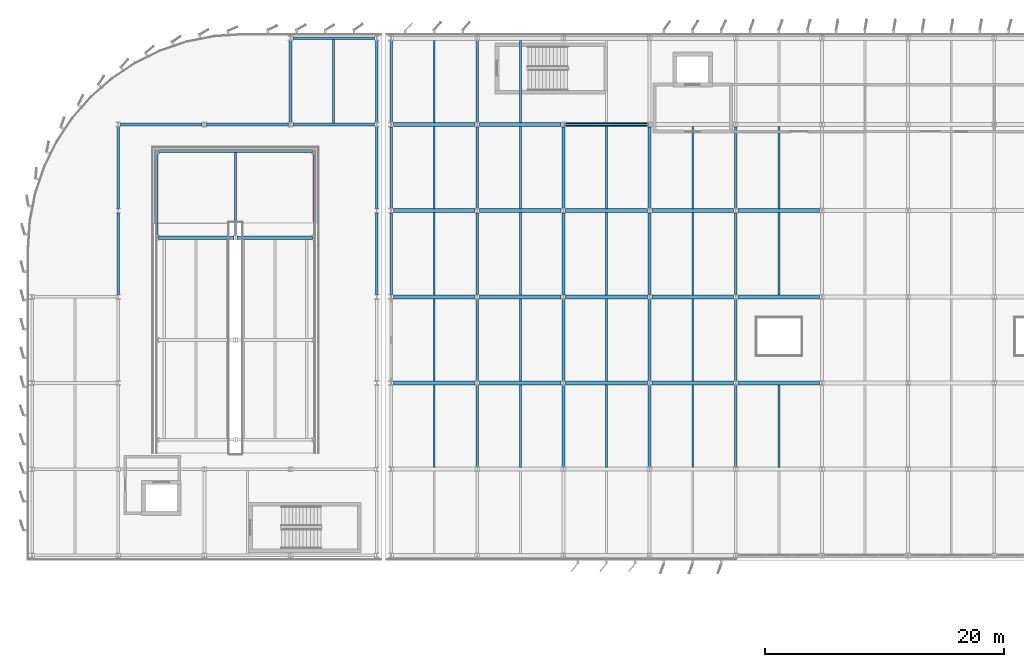
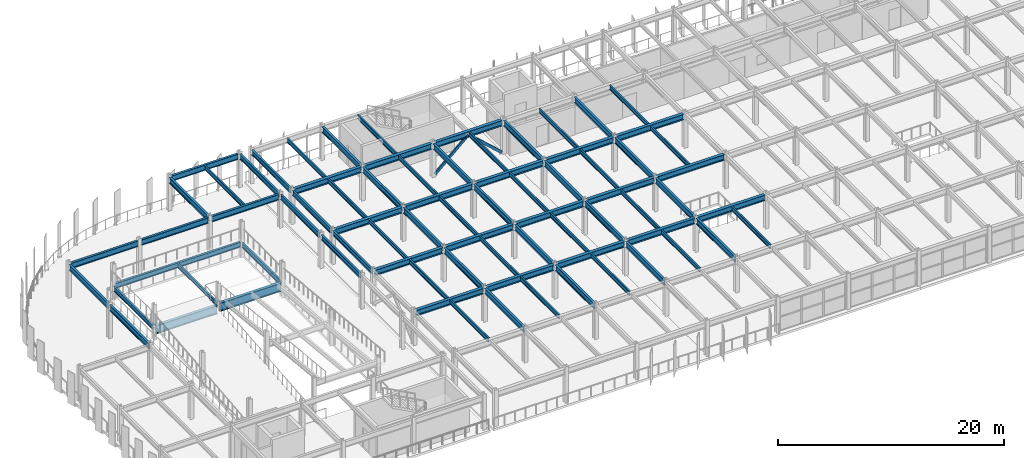
# One storey, part 18 of 80: 76 beams, 2 members.
"""IFC4 building model written with IfcOpenShell, lengths in metres."""

from ifc_helpers import new_model, si_unit, direction, frame, origin, origin_2d, place, context, subcontext, project, spatial, hollow_rectangle, i_section, extrude, material, material_profile, profile_set, type_object, element, save


model = new_model("IFC4")

# Units and contexts
model_context = context("Model", 3, precision=1e-05, world=origin(), true_north=direction((0.0, 1.0)))
body_context = subcontext(model_context, "Body", "Model", "MODEL_VIEW")
ifc_project = project(units=[si_unit("LENGTHUNIT", "METRE"), si_unit("AREAUNIT", "SQUARE_METRE"), si_unit("VOLUMEUNIT", "CUBIC_METRE"), si_unit("PLANEANGLEUNIT", "RADIAN"), si_unit("MASSUNIT", "GRAM", prefix="KILO")], contexts=[model_context])

# Site, building, storey
site_placement = place(None, origin())
site = spatial("IfcSite", under=ifc_project, at=site_placement, CompositionType="ELEMENT")
building_placement = place(site_placement, origin())
building = spatial("IfcBuilding", under=site, at=building_placement, Name="Vaelcorin Mobility Hub", CompositionType="ELEMENT")
storey_placement = place(building_placement, frame((0.0, 0.0, 9.300048828125)))
storey = spatial("IfcBuildingStorey", under=building, at=storey_placement, Name="L02", CompositionType="ELEMENT", Elevation=9.300048828125)

# Beams
ifc_material_1 = material(Name="Steel ASTM A992 Grade 50", Category="steel")
ifc_material_profile_1 = material_profile(ifc_material_1, i_section(OverallWidth=0.152099609375, OverallDepth=0.455078125, WebThickness=0.008056640625, FlangeThickness=0.01318359375, FilletRadius=0.012939453125, at=origin_2d()), Name="W18X40")
ifc_profile_set_1 = profile_set([ifc_material_profile_1], Name="Steel ASTM A992 Grade 50")
beam_type_1 = type_object("IfcBeamType", Name="BM-W18X40", PredefinedType="JOIST", material=ifc_profile_set_1)
beam_1_placement = place(storey_placement, frame((31.199951171875, 112.912109375, 3.421875), z_axis=(0.0, 1.0, 0.0), x_axis=(-1.0, 0.0, 0.0)))
element("IfcBeam", 1, at=beam_1_placement, inside=storey, type_object=beam_type_1, Name="L02 Beam V2W-L02-J-04-06-1", PredefinedType="JOIST", context=body_context, shape_type="SweptSolid", body=[
    extrude(i_section(OverallWidth=0.152099609375, OverallDepth=0.455078125, WebThickness=0.008056640625, FlangeThickness=0.01318359375, FilletRadius=0.012939453125, at=origin_2d()), origin(), (0.0, 0.0, 1.0), 6.975830078125),
])
beam_2_placement = place(storey_placement, frame((23.0, 103.52490234375, 1.44287109375), z_axis=(0.0, 1.0, 0.0), x_axis=(-1.0, 0.0, 0.0)))
element("IfcBeam", 2, at=beam_2_placement, inside=storey, type_object=beam_type_1, Name="Vehicle Ramp VR-1 L02 Landing Mid Joist", PredefinedType="JOIST", context=body_context, shape_type="SweptSolid", body=[
    extrude(i_section(OverallWidth=0.152099609375, OverallDepth=0.455078125, WebThickness=0.008056640625, FlangeThickness=0.01318359375, FilletRadius=0.012939453125, at=origin_2d()), origin(), (0.0, 0.0, 1.0), 6.922119140625),
])
ifc_material_profile_2 = material_profile(ifc_material_1, i_section(OverallWidth=0.154052734375, OverallDepth=0.45703125, WebThickness=0.009033203125, FlangeThickness=0.015380859375, FilletRadius=0.012939453125, at=origin_2d()), Name="W18X46")
ifc_profile_set_2 = profile_set([ifc_material_profile_2], Name="Steel ASTM A992 Grade 50")
beam_type_2 = type_object("IfcBeamType", Name="BM-W18X46", PredefinedType="JOIST", material=ifc_profile_set_2)
beam_3_placement = place(storey_placement, frame((39.60009765625, 84.159912109375, 3.4619140625), z_axis=(0.0, 1.0, 0.0), x_axis=(-1.0, 0.0, 0.0)))
element("IfcBeam", 3, at=beam_3_placement, inside=storey, type_object=beam_type_2, Name="L02 Beam V4-L02-J-01-02-1", PredefinedType="JOIST", context=body_context, shape_type="SweptSolid", body=[
    extrude(i_section(OverallWidth=0.154052734375, OverallDepth=0.45703125, WebThickness=0.009033203125, FlangeThickness=0.015380859375, FilletRadius=0.012939453125, at=origin_2d()), origin(), (0.0, 0.0, 1.0), 6.880126953125),
])
for number, where, z_axis, x_axis, name in (
    (4, (39.60009765625, 91.360107421875, 3.4619140625), (0.0, 1.0, 0.0), (-1.0, 0.0, 0.0), "L02 Beam V4-L02-J-01-03-1"),
    (5, (39.60009765625, 98.56005859375, 3.4619140625), (0.0, 1.0, 0.0), (-1.0, 0.0, 0.0), "L02 Beam V4-L02-J-01-04-1"),
    (6, (39.60009765625, 105.760009765625, 3.4619140625), (0.0, 1.0, 0.0), (-1.0, 0.0, 0.0), "L02 Beam V4-L02-J-01-05-1"),
):
    element("IfcBeam", number, at=place(storey_placement, frame(where, z_axis=z_axis, x_axis=x_axis)), inside=storey, type_object=beam_type_2, Name=name, PredefinedType="JOIST", context=body_context, shape_type="SweptSolid", body=[
        extrude(i_section(OverallWidth=0.154052734375, OverallDepth=0.45703125, WebThickness=0.009033203125, FlangeThickness=0.015380859375, FilletRadius=0.012939453125, at=origin_2d()), origin(), (0.0, 0.0, 1.0), 6.8798828125),
    ])
for number, where, z_axis, x_axis, name in (
    (7, (39.60009765625, 112.9599609375, 3.4619140625), (0.0, 1.0, 0.0), (-1.0, 0.0, 0.0), "L02 Beam V4-L02-J-01-06-1"),
    (8, (46.800048828125, 84.159912109375, 3.4619140625), (0.0, 1.0, 0.0), (-1.0, 0.0, 0.0), "L02 Beam V4-L02-J-02-02-1"),
):
    element("IfcBeam", number, at=place(storey_placement, frame(where, z_axis=z_axis, x_axis=x_axis)), inside=storey, type_object=beam_type_2, Name=name, PredefinedType="JOIST", context=body_context, shape_type="SweptSolid", body=[
        extrude(i_section(OverallWidth=0.154052734375, OverallDepth=0.45703125, WebThickness=0.009033203125, FlangeThickness=0.015380859375, FilletRadius=0.012939453125, at=origin_2d()), origin(), (0.0, 0.0, 1.0), 6.880126953125),
    ])
for number, where, z_axis, x_axis, name in (
    (9, (46.800048828125, 91.360107421875, 3.4619140625), (0.0, 1.0, 0.0), (-1.0, 0.0, 0.0), "L02 Beam V4-L02-J-02-03-1"),
    (10, (46.800048828125, 98.56005859375, 3.4619140625), (0.0, 1.0, 0.0), (-1.0, 0.0, 0.0), "L02 Beam V4-L02-J-02-04-1"),
    (11, (46.800048828125, 105.760009765625, 3.4619140625), (0.0, 1.0, 0.0), (-1.0, 0.0, 0.0), "L02 Beam V4-L02-J-02-05-1"),
):
    element("IfcBeam", number, at=place(storey_placement, frame(where, z_axis=z_axis, x_axis=x_axis)), inside=storey, type_object=beam_type_2, Name=name, PredefinedType="JOIST", context=body_context, shape_type="SweptSolid", body=[
        extrude(i_section(OverallWidth=0.154052734375, OverallDepth=0.45703125, WebThickness=0.009033203125, FlangeThickness=0.015380859375, FilletRadius=0.012939453125, at=origin_2d()), origin(), (0.0, 0.0, 1.0), 6.8798828125),
    ])
for number, where, z_axis, x_axis, name in (
    (12, (46.800048828125, 112.9599609375, 3.4619140625), (0.0, 1.0, 0.0), (-1.0, 0.0, 0.0), "L02 Beam V4-L02-J-02-06-1"),
    (13, (54.0, 84.159912109375, 3.4619140625), (0.0, 1.0, 0.0), (-1.0, 0.0, 0.0), "L02 Beam V4-L02-J-03-02-1"),
):
    element("IfcBeam", number, at=place(storey_placement, frame(where, z_axis=z_axis, x_axis=x_axis)), inside=storey, type_object=beam_type_2, Name=name, PredefinedType="JOIST", context=body_context, shape_type="SweptSolid", body=[
        extrude(i_section(OverallWidth=0.154052734375, OverallDepth=0.45703125, WebThickness=0.009033203125, FlangeThickness=0.015380859375, FilletRadius=0.012939453125, at=origin_2d()), origin(), (0.0, 0.0, 1.0), 6.880126953125),
    ])
for number, where, z_axis, x_axis, name in (
    (14, (54.0, 91.360107421875, 3.4619140625), (0.0, 1.0, 0.0), (-1.0, 0.0, 0.0), "L02 Beam V4-L02-J-03-03-1"),
    (15, (54.0, 98.56005859375, 3.4619140625), (0.0, 1.0, 0.0), (-1.0, 0.0, 0.0), "L02 Beam V4-L02-J-03-04-1"),
    (16, (54.0, 105.760009765625, 3.4619140625), (0.0, 1.0, 0.0), (-1.0, 0.0, 0.0), "L02 Beam V4-L02-J-03-05-1"),
):
    element("IfcBeam", number, at=place(storey_placement, frame(where, z_axis=z_axis, x_axis=x_axis)), inside=storey, type_object=beam_type_2, Name=name, PredefinedType="JOIST", context=body_context, shape_type="SweptSolid", body=[
        extrude(i_section(OverallWidth=0.154052734375, OverallDepth=0.45703125, WebThickness=0.009033203125, FlangeThickness=0.015380859375, FilletRadius=0.012939453125, at=origin_2d()), origin(), (0.0, 0.0, 1.0), 6.8798828125),
    ])
beam_4_placement = place(storey_placement, frame((61.199951171875, 84.159912109375, 3.4619140625), z_axis=(0.0, 1.0, 0.0), x_axis=(-1.0, 0.0, 0.0)))
element("IfcBeam", 17, at=beam_4_placement, inside=storey, type_object=beam_type_2, Name="L02 Beam V4-L02-J-04-02-1", PredefinedType="JOIST", context=body_context, shape_type="SweptSolid", body=[
    extrude(i_section(OverallWidth=0.154052734375, OverallDepth=0.45703125, WebThickness=0.009033203125, FlangeThickness=0.015380859375, FilletRadius=0.012939453125, at=origin_2d()), origin(), (0.0, 0.0, 1.0), 6.880126953125),
])
for number, where, z_axis, x_axis, name in (
    (18, (61.199951171875, 91.360107421875, 3.4619140625), (0.0, 1.0, 0.0), (-1.0, 0.0, 0.0), "L02 Beam V4-L02-J-04-03-1"),
    (19, (61.199951171875, 98.56005859375, 3.4619140625), (0.0, 1.0, 0.0), (-1.0, 0.0, 0.0), "L02 Beam V4-L02-J-04-04-1"),
    (20, (61.199951171875, 105.760009765625, 3.4619140625), (0.0, 1.0, 0.0), (-1.0, 0.0, 0.0), "L02 Beam V4-L02-J-04-05-1"),
):
    element("IfcBeam", number, at=place(storey_placement, frame(where, z_axis=z_axis, x_axis=x_axis)), inside=storey, type_object=beam_type_2, Name=name, PredefinedType="JOIST", context=body_context, shape_type="SweptSolid", body=[
        extrude(i_section(OverallWidth=0.154052734375, OverallDepth=0.45703125, WebThickness=0.009033203125, FlangeThickness=0.015380859375, FilletRadius=0.012939453125, at=origin_2d()), origin(), (0.0, 0.0, 1.0), 6.8798828125),
    ])
beam_5_placement = place(storey_placement, frame((68.39990234375, 84.159912109375, 3.4619140625), z_axis=(0.0, 1.0, 0.0), x_axis=(-1.0, 0.0, 0.0)))
element("IfcBeam", 21, at=beam_5_placement, inside=storey, type_object=beam_type_2, Name="L02 Beam V4-L02-J-05-02-1", PredefinedType="JOIST", context=body_context, shape_type="SweptSolid", body=[
    extrude(i_section(OverallWidth=0.154052734375, OverallDepth=0.45703125, WebThickness=0.009033203125, FlangeThickness=0.015380859375, FilletRadius=0.012939453125, at=origin_2d()), origin(), (0.0, 0.0, 1.0), 6.880126953125),
])
for number, where, z_axis, x_axis, name in (
    (22, (68.39990234375, 98.56005859375, 3.4619140625), (0.0, 1.0, 0.0), (-1.0, 0.0, 0.0), "L02 Beam V4-L02-J-05-04-1"),
    (23, (68.39990234375, 105.760009765625, 3.4619140625), (0.0, 1.0, 0.0), (-1.0, 0.0, 0.0), "L02 Beam V4-L02-J-05-05-1"),
):
    element("IfcBeam", number, at=place(storey_placement, frame(where, z_axis=z_axis, x_axis=x_axis)), inside=storey, type_object=beam_type_2, Name=name, PredefinedType="JOIST", context=body_context, shape_type="SweptSolid", body=[
        extrude(i_section(OverallWidth=0.154052734375, OverallDepth=0.45703125, WebThickness=0.009033203125, FlangeThickness=0.015380859375, FilletRadius=0.012939453125, at=origin_2d()), origin(), (0.0, 0.0, 1.0), 6.8798828125),
    ])
ifc_material_profile_3 = material_profile(ifc_material_1, i_section(OverallWidth=0.166015625, OverallDepth=0.528076171875, WebThickness=0.009765625, FlangeThickness=0.013671875, FilletRadius=0.013916015625, at=origin_2d()), Name="W21X50")
ifc_profile_set_3 = profile_set([ifc_material_profile_3], Name="Steel ASTM A992 Grade 50")
beam_type_3 = type_object("IfcBeamType", Name="BM-W21X50", PredefinedType="JOIST", material=ifc_profile_set_3)
for number, where, z_axis, x_axis, name in (
    (24, (16.449951171875, 103.52490234375, 1.25390625), (0.0, 1.0, 0.0), (-1.0, 0.0, 0.0), "Vehicle Ramp VR-1 L02 Landing West Edge Beam"),
    (25, (29.550048828125, 103.52490234375, 1.39697265625), (0.0, 1.0, 0.0), (-1.0, 0.0, 0.0), "Vehicle Ramp VR-1 L02 Landing East Edge Beam"),
):
    element("IfcBeam", number, at=place(storey_placement, frame(where, z_axis=z_axis, x_axis=x_axis)), inside=storey, type_object=beam_type_3, Name=name, PredefinedType="JOIST", context=body_context, shape_type="SweptSolid", body=[
        extrude(i_section(OverallWidth=0.166015625, OverallDepth=0.528076171875, WebThickness=0.009765625, FlangeThickness=0.013671875, FilletRadius=0.013916015625, at=origin_2d()), origin(), (0.0, 0.0, 1.0), 6.85009765625),
    ])
ifc_material_profile_4 = material_profile(ifc_material_1, i_section(OverallWidth=0.2099609375, OverallDepth=0.535888671875, WebThickness=0.010986328125, FlangeThickness=0.017333984375, FilletRadius=0.013916015625, at=origin_2d()), Name="W21X68")
ifc_profile_set_4 = profile_set([ifc_material_profile_4], Name="Steel ASTM A992 Grade 50")
beam_type_4 = type_object("IfcBeamType", Name="BM-W21X68", PredefinedType="SPANDREL", material=ifc_profile_set_4)
beam_6_placement = place(storey_placement, frame((36.0, 98.583984375, 3.421875), z_axis=(0.0, 1.0, 0.0), x_axis=(-1.0, 0.0, 0.0)))
element("IfcBeam", 26, at=beam_6_placement, inside=storey, type_object=beam_type_4, Name="L02 Beam V4-L02-GY-01-04", PredefinedType="SPANDREL", context=body_context, shape_type="SweptSolid", body=[
    extrude(i_section(OverallWidth=0.2099609375, OverallDepth=0.535888671875, WebThickness=0.010986328125, FlangeThickness=0.017333984375, FilletRadius=0.013916015625, at=origin_2d()), origin(), (0.0, 0.0, 1.0), 6.83203125),
])
beam_7_placement = place(storey_placement, frame((36.0, 105.783935546875, 3.421875), z_axis=(0.0, 1.0, 0.0), x_axis=(-1.0, 0.0, 0.0)))
element("IfcBeam", 27, at=beam_7_placement, inside=storey, type_object=beam_type_4, Name="L02 Beam V4-L02-GY-01-05", PredefinedType="SPANDREL", context=body_context, shape_type="SweptSolid", body=[
    extrude(i_section(OverallWidth=0.2099609375, OverallDepth=0.535888671875, WebThickness=0.010986328125, FlangeThickness=0.017333984375, FilletRadius=0.013916015625, at=origin_2d()), origin(), (0.0, 0.0, 1.0), 6.8271484375),
])
beam_8_placement = place(storey_placement, frame((36.0, 112.988037109375, 3.421875), z_axis=(0.0, 1.0, 0.0), x_axis=(-1.0, 0.0, 0.0)))
element("IfcBeam", 28, at=beam_8_placement, inside=storey, type_object=beam_type_4, Name="L02 Beam V4-L02-GY-01-06", PredefinedType="SPANDREL", context=body_context, shape_type="SweptSolid", body=[
    extrude(i_section(OverallWidth=0.2099609375, OverallDepth=0.535888671875, WebThickness=0.010986328125, FlangeThickness=0.017333984375, FilletRadius=0.013916015625, at=origin_2d()), origin(), (0.0, 0.0, 1.0), 6.827880859375),
])
beam_9_placement = place(storey_placement, frame((34.800048828125, 98.580078125, 3.3818359375), z_axis=(0.0, 1.0, 0.0), x_axis=(-1.0, 0.0, 0.0)))
element("IfcBeam", 29, at=beam_9_placement, inside=storey, type_object=beam_type_4, Name="L02 Beam V2W-L02-GY-05-04", PredefinedType="SPANDREL", context=body_context, shape_type="SweptSolid", body=[
    extrude(i_section(OverallWidth=0.2099609375, OverallDepth=0.535888671875, WebThickness=0.010986328125, FlangeThickness=0.017333984375, FilletRadius=0.013916015625, at=origin_2d()), origin(), (0.0, 0.0, 1.0), 6.83984375),
])
for number, where, z_axis, x_axis, name in (
    (30, (34.800048828125, 105.780029296875, 3.3818359375), (0.0, 1.0, 0.0), (-1.0, 0.0, 0.0), "L02 Beam V2W-L02-GY-05-05"),
    (31, (34.800048828125, 112.97998046875, 3.3818359375), (0.0, 1.0, 0.0), (-1.0, 0.0, 0.0), "L02 Beam V2W-L02-GY-05-06"),
):
    element("IfcBeam", number, at=place(storey_placement, frame(where, z_axis=z_axis, x_axis=x_axis)), inside=storey, type_object=beam_type_4, Name=name, PredefinedType="SPANDREL", context=body_context, shape_type="SweptSolid", body=[
        extrude(i_section(OverallWidth=0.2099609375, OverallDepth=0.535888671875, WebThickness=0.010986328125, FlangeThickness=0.017333984375, FilletRadius=0.013916015625, at=origin_2d()), origin(), (0.0, 0.0, 1.0), 6.840087890625),
    ])
beam_10_placement = place(storey_placement, frame((16.580078125, 110.550048828125, 1.40185546875), z_axis=(1.0, 0.0, 0.0), x_axis=(0.0, 1.0, 0.0)))
element("IfcBeam", 32, at=beam_10_placement, inside=storey, type_object=beam_type_4, Name="Vehicle Ramp VR-1 L02 Landing Back Girder", PredefinedType="SPANDREL", context=body_context, shape_type="SweptSolid", body=[
    extrude(i_section(OverallWidth=0.2099609375, OverallDepth=0.535888671875, WebThickness=0.010986328125, FlangeThickness=0.017333984375, FilletRadius=0.013916015625, at=origin_2d()), origin(), (0.0, 0.0, 1.0), 12.83984375),
])
ifc_material_profile_5 = material_profile(ifc_material_1, i_section(OverallWidth=0.324951171875, OverallDepth=0.612060546875, WebThickness=0.0126953125, FlangeThickness=0.01904296875, FilletRadius=0.014892578125, at=origin_2d()), Name="W24X104")
ifc_profile_set_5 = profile_set([ifc_material_profile_5], Name="Steel ASTM A992 Grade 50")
beam_type_5 = type_object("IfcBeamType", Name="BM-W24X104", PredefinedType="BEAM", material=ifc_profile_set_5)
for number, where, z_axis, x_axis, name in (
    (33, (36.18408203125, 91.199951171875, 3.384033203125), (1.0, 0.0, 0.0), (0.0, 1.0, 0.0), "L02 Beam V4-L02-GX-03-01"),
    (34, (43.384033203125, 91.199951171875, 3.384033203125), (1.0, 0.0, 0.0), (0.0, 1.0, 0.0), "L02 Beam V4-L02-GX-03-02"),
    (35, (50.583984375, 91.199951171875, 3.384033203125), (1.0, 0.0, 0.0), (0.0, 1.0, 0.0), "L02 Beam V4-L02-GX-03-03"),
    (36, (57.783935546875, 91.199951171875, 3.384033203125), (1.0, 0.0, 0.0), (0.0, 1.0, 0.0), "L02 Beam V4-L02-GX-03-04"),
    (37, (64.98388671875, 91.199951171875, 3.384033203125), (1.0, 0.0, 0.0), (0.0, 1.0, 0.0), "L02 Beam V4-L02-GX-03-05"),
    (38, (36.18408203125, 98.39990234375, 3.384033203125), (1.0, 0.0, 0.0), (0.0, 1.0, 0.0), "L02 Beam V4-L02-GX-04-01"),
    (39, (43.384033203125, 98.39990234375, 3.384033203125), (1.0, 0.0, 0.0), (0.0, 1.0, 0.0), "L02 Beam V4-L02-GX-04-02"),
    (40, (50.583984375, 98.39990234375, 3.384033203125), (1.0, 0.0, 0.0), (0.0, 1.0, 0.0), "L02 Beam V4-L02-GX-04-03"),
    (41, (57.783935546875, 98.39990234375, 3.384033203125), (1.0, 0.0, 0.0), (0.0, 1.0, 0.0), "L02 Beam V4-L02-GX-04-04"),
    (42, (64.98388671875, 98.39990234375, 3.384033203125), (1.0, 0.0, 0.0), (0.0, 1.0, 0.0), "L02 Beam V4-L02-GX-04-05"),
    (43, (36.18408203125, 105.60009765625, 3.384033203125), (1.0, 0.0, 0.0), (0.0, 1.0, 0.0), "L02 Beam V4-L02-GX-05-01"),
    (44, (43.384033203125, 105.60009765625, 3.384033203125), (1.0, 0.0, 0.0), (0.0, 1.0, 0.0), "L02 Beam V4-L02-GX-05-02"),
    (45, (50.583984375, 105.60009765625, 3.384033203125), (1.0, 0.0, 0.0), (0.0, 1.0, 0.0), "L02 Beam V4-L02-GX-05-03"),
    (46, (57.783935546875, 105.60009765625, 3.384033203125), (1.0, 0.0, 0.0), (0.0, 1.0, 0.0), "L02 Beam V4-L02-GX-05-04"),
    (47, (64.98388671875, 105.60009765625, 3.384033203125), (1.0, 0.0, 0.0), (0.0, 1.0, 0.0), "L02 Beam V4-L02-GX-05-05"),
):
    element("IfcBeam", number, at=place(storey_placement, frame(where, z_axis=z_axis, x_axis=x_axis)), inside=storey, type_object=beam_type_5, Name=name, PredefinedType="BEAM", context=body_context, shape_type="SweptSolid", body=[
        extrude(i_section(OverallWidth=0.324951171875, OverallDepth=0.612060546875, WebThickness=0.0126953125, FlangeThickness=0.01904296875, FilletRadius=0.014892578125, at=origin_2d()), origin(), (0.0, 0.0, 1.0), 6.83203125),
    ])
beam_11_placement = place(storey_placement, frame((36.196044921875, 112.800048828125, 3.384033203125), z_axis=(1.0, 0.0, 0.0), x_axis=(0.0, 1.0, 0.0)))
element("IfcBeam", 48, at=beam_11_placement, inside=storey, type_object=beam_type_5, Name="L02 Beam V4-L02-GX-06-01", PredefinedType="BEAM", context=body_context, shape_type="SweptSolid", body=[
    extrude(i_section(OverallWidth=0.324951171875, OverallDepth=0.612060546875, WebThickness=0.0126953125, FlangeThickness=0.01904296875, FilletRadius=0.014892578125, at=origin_2d()), origin(), (0.0, 0.0, 1.0), 6.807861328125),
])
for number, where, z_axis, x_axis, name in (
    (49, (43.39599609375, 112.800048828125, 3.384033203125), (1.0, 0.0, 0.0), (0.0, 1.0, 0.0), "L02 Beam V4-L02-GX-06-02"),
    (50, (50.595947265625, 112.800048828125, 3.384033203125), (1.0, 0.0, 0.0), (0.0, 1.0, 0.0), "L02 Beam V4-L02-GX-06-03"),
):
    element("IfcBeam", number, at=place(storey_placement, frame(where, z_axis=z_axis, x_axis=x_axis)), inside=storey, type_object=beam_type_5, Name=name, PredefinedType="BEAM", context=body_context, shape_type="SweptSolid", body=[
        extrude(i_section(OverallWidth=0.324951171875, OverallDepth=0.612060546875, WebThickness=0.0126953125, FlangeThickness=0.01904296875, FilletRadius=0.014892578125, at=origin_2d()), origin(), (0.0, 0.0, 1.0), 6.80810546875),
    ])
ifc_material_profile_6 = material_profile(ifc_material_1, i_section(OverallWidth=0.22802734375, OverallDepth=0.60205078125, WebThickness=0.010498046875, FlangeThickness=0.014892578125, FilletRadius=0.014892578125, at=origin_2d()), Name="W24X68")
ifc_profile_set_6 = profile_set([ifc_material_profile_6], Name="Steel ASTM A992 Grade 50")
beam_type_6 = type_object("IfcBeamType", Name="BM-W24X68", PredefinedType="SPANDREL", material=ifc_profile_set_6)
beam_12_placement = place(storey_placement, frame((27.783935546875, 120.0, 3.348876953125), z_axis=(1.0, 0.0, 0.0), x_axis=(0.0, 1.0, 0.0)))
element("IfcBeam", 51, at=beam_12_placement, inside=storey, type_object=beam_type_6, Name="L02 Beam V2W-L02-GX-07-04", PredefinedType="SPANDREL", context=body_context, shape_type="SweptSolid", body=[
    extrude(i_section(OverallWidth=0.22802734375, OverallDepth=0.60205078125, WebThickness=0.010498046875, FlangeThickness=0.014892578125, FilletRadius=0.014892578125, at=origin_2d()), origin(), (0.0, 0.0, 1.0), 6.83203125),
])
ifc_material_profile_7 = material_profile(ifc_material_1, i_section(OverallWidth=0.22900390625, OverallDepth=0.612060546875, WebThickness=0.011962890625, FlangeThickness=0.01953125, FilletRadius=0.014892578125, at=origin_2d()), Name="W24X84")
ifc_profile_set_7 = profile_set([ifc_material_profile_7], Name="Steel ASTM A992 Grade 50")
beam_type_7 = type_object("IfcBeamType", Name="BM-W24X84", PredefinedType="BEAM", material=ifc_profile_set_7)
beam_13_placement = place(storey_placement, frame((43.199951171875, 84.18798828125, 3.384033203125), z_axis=(0.0, 1.0, 0.0), x_axis=(-1.0, 0.0, 0.0)))
element("IfcBeam", 52, at=beam_13_placement, inside=storey, type_object=beam_type_7, Name="L02 Beam V4-L02-GY-02-02", PredefinedType="BEAM", context=body_context, shape_type="SweptSolid", body=[
    extrude(i_section(OverallWidth=0.22900390625, OverallDepth=0.612060546875, WebThickness=0.011962890625, FlangeThickness=0.01953125, FilletRadius=0.014892578125, at=origin_2d()), origin(), (0.0, 0.0, 1.0), 6.828125),
])
for number, where, z_axis, x_axis, name in (
    (53, (43.199951171875, 91.384033203125, 3.384033203125), (0.0, 1.0, 0.0), (-1.0, 0.0, 0.0), "L02 Beam V4-L02-GY-02-03"),
    (54, (43.199951171875, 98.583984375, 3.384033203125), (0.0, 1.0, 0.0), (-1.0, 0.0, 0.0), "L02 Beam V4-L02-GY-02-04"),
):
    element("IfcBeam", number, at=place(storey_placement, frame(where, z_axis=z_axis, x_axis=x_axis)), inside=storey, type_object=beam_type_7, Name=name, PredefinedType="BEAM", context=body_context, shape_type="SweptSolid", body=[
        extrude(i_section(OverallWidth=0.22900390625, OverallDepth=0.612060546875, WebThickness=0.011962890625, FlangeThickness=0.01953125, FilletRadius=0.014892578125, at=origin_2d()), origin(), (0.0, 0.0, 1.0), 6.83203125),
    ])
beam_14_placement = place(storey_placement, frame((43.199951171875, 105.783935546875, 3.384033203125), z_axis=(0.0, 1.0, 0.0), x_axis=(-1.0, 0.0, 0.0)))
element("IfcBeam", 55, at=beam_14_placement, inside=storey, type_object=beam_type_7, Name="L02 Beam V4-L02-GY-02-05", PredefinedType="BEAM", context=body_context, shape_type="SweptSolid", body=[
    extrude(i_section(OverallWidth=0.22900390625, OverallDepth=0.612060546875, WebThickness=0.011962890625, FlangeThickness=0.01953125, FilletRadius=0.014892578125, at=origin_2d()), origin(), (0.0, 0.0, 1.0), 6.8271484375),
])
beam_15_placement = place(storey_placement, frame((43.199951171875, 112.988037109375, 3.384033203125), z_axis=(0.0, 1.0, 0.0), x_axis=(-1.0, 0.0, 0.0)))
element("IfcBeam", 56, at=beam_15_placement, inside=storey, type_object=beam_type_7, Name="L02 Beam V4-L02-GY-02-06", PredefinedType="BEAM", context=body_context, shape_type="SweptSolid", body=[
    extrude(i_section(OverallWidth=0.22900390625, OverallDepth=0.612060546875, WebThickness=0.011962890625, FlangeThickness=0.01953125, FilletRadius=0.014892578125, at=origin_2d()), origin(), (0.0, 0.0, 1.0), 6.827880859375),
])
beam_16_placement = place(storey_placement, frame((50.39990234375, 84.18798828125, 3.384033203125), z_axis=(0.0, 1.0, 0.0), x_axis=(-1.0, 0.0, 0.0)))
element("IfcBeam", 57, at=beam_16_placement, inside=storey, type_object=beam_type_7, Name="L02 Beam V4-L02-GY-03-02", PredefinedType="BEAM", context=body_context, shape_type="SweptSolid", body=[
    extrude(i_section(OverallWidth=0.22900390625, OverallDepth=0.612060546875, WebThickness=0.011962890625, FlangeThickness=0.01953125, FilletRadius=0.014892578125, at=origin_2d()), origin(), (0.0, 0.0, 1.0), 6.828125),
])
for number, where, z_axis, x_axis, name in (
    (58, (50.39990234375, 91.384033203125, 3.384033203125), (0.0, 1.0, 0.0), (-1.0, 0.0, 0.0), "L02 Beam V4-L02-GY-03-03"),
    (59, (50.39990234375, 98.583984375, 3.384033203125), (0.0, 1.0, 0.0), (-1.0, 0.0, 0.0), "L02 Beam V4-L02-GY-03-04"),
):
    element("IfcBeam", number, at=place(storey_placement, frame(where, z_axis=z_axis, x_axis=x_axis)), inside=storey, type_object=beam_type_7, Name=name, PredefinedType="BEAM", context=body_context, shape_type="SweptSolid", body=[
        extrude(i_section(OverallWidth=0.22900390625, OverallDepth=0.612060546875, WebThickness=0.011962890625, FlangeThickness=0.01953125, FilletRadius=0.014892578125, at=origin_2d()), origin(), (0.0, 0.0, 1.0), 6.83203125),
    ])
beam_17_placement = place(storey_placement, frame((50.39990234375, 105.783935546875, 3.384033203125), z_axis=(0.0, 1.0, 0.0), x_axis=(-1.0, 0.0, 0.0)))
element("IfcBeam", 60, at=beam_17_placement, inside=storey, type_object=beam_type_7, Name="L02 Beam V4-L02-GY-03-05", PredefinedType="BEAM", context=body_context, shape_type="SweptSolid", body=[
    extrude(i_section(OverallWidth=0.22900390625, OverallDepth=0.612060546875, WebThickness=0.011962890625, FlangeThickness=0.01953125, FilletRadius=0.014892578125, at=origin_2d()), origin(), (0.0, 0.0, 1.0), 6.8271484375),
])
beam_18_placement = place(storey_placement, frame((57.60009765625, 84.18798828125, 3.384033203125), z_axis=(0.0, 1.0, 0.0), x_axis=(-1.0, 0.0, 0.0)))
element("IfcBeam", 61, at=beam_18_placement, inside=storey, type_object=beam_type_7, Name="L02 Beam V4-L02-GY-04-02", PredefinedType="BEAM", context=body_context, shape_type="SweptSolid", body=[
    extrude(i_section(OverallWidth=0.22900390625, OverallDepth=0.612060546875, WebThickness=0.011962890625, FlangeThickness=0.01953125, FilletRadius=0.014892578125, at=origin_2d()), origin(), (0.0, 0.0, 1.0), 6.828125),
])
for number, where, z_axis, x_axis, name in (
    (62, (57.60009765625, 91.384033203125, 3.384033203125), (0.0, 1.0, 0.0), (-1.0, 0.0, 0.0), "L02 Beam V4-L02-GY-04-03"),
    (63, (57.60009765625, 98.583984375, 3.384033203125), (0.0, 1.0, 0.0), (-1.0, 0.0, 0.0), "L02 Beam V4-L02-GY-04-04"),
):
    element("IfcBeam", number, at=place(storey_placement, frame(where, z_axis=z_axis, x_axis=x_axis)), inside=storey, type_object=beam_type_7, Name=name, PredefinedType="BEAM", context=body_context, shape_type="SweptSolid", body=[
        extrude(i_section(OverallWidth=0.22900390625, OverallDepth=0.612060546875, WebThickness=0.011962890625, FlangeThickness=0.01953125, FilletRadius=0.014892578125, at=origin_2d()), origin(), (0.0, 0.0, 1.0), 6.83203125),
    ])
beam_19_placement = place(storey_placement, frame((57.60009765625, 105.783935546875, 3.384033203125), z_axis=(0.0, 1.0, 0.0), x_axis=(-1.0, 0.0, 0.0)))
element("IfcBeam", 64, at=beam_19_placement, inside=storey, type_object=beam_type_7, Name="L02 Beam V4-L02-GY-04-05", PredefinedType="BEAM", context=body_context, shape_type="SweptSolid", body=[
    extrude(i_section(OverallWidth=0.22900390625, OverallDepth=0.612060546875, WebThickness=0.011962890625, FlangeThickness=0.01953125, FilletRadius=0.014892578125, at=origin_2d()), origin(), (0.0, 0.0, 1.0), 6.8271484375),
])
beam_20_placement = place(storey_placement, frame((64.800048828125, 84.18798828125, 3.384033203125), z_axis=(0.0, 1.0, 0.0), x_axis=(-1.0, 0.0, 0.0)))
element("IfcBeam", 65, at=beam_20_placement, inside=storey, type_object=beam_type_7, Name="L02 Beam V4-L02-GY-05-02", PredefinedType="BEAM", context=body_context, shape_type="SweptSolid", body=[
    extrude(i_section(OverallWidth=0.22900390625, OverallDepth=0.612060546875, WebThickness=0.011962890625, FlangeThickness=0.01953125, FilletRadius=0.014892578125, at=origin_2d()), origin(), (0.0, 0.0, 1.0), 6.828125),
])
for number, where, z_axis, x_axis, name in (
    (66, (64.800048828125, 91.384033203125, 3.384033203125), (0.0, 1.0, 0.0), (-1.0, 0.0, 0.0), "L02 Beam V4-L02-GY-05-03"),
    (67, (64.800048828125, 98.583984375, 3.384033203125), (0.0, 1.0, 0.0), (-1.0, 0.0, 0.0), "L02 Beam V4-L02-GY-05-04"),
):
    element("IfcBeam", number, at=place(storey_placement, frame(where, z_axis=z_axis, x_axis=x_axis)), inside=storey, type_object=beam_type_7, Name=name, PredefinedType="BEAM", context=body_context, shape_type="SweptSolid", body=[
        extrude(i_section(OverallWidth=0.22900390625, OverallDepth=0.612060546875, WebThickness=0.011962890625, FlangeThickness=0.01953125, FilletRadius=0.014892578125, at=origin_2d()), origin(), (0.0, 0.0, 1.0), 6.83203125),
    ])
beam_21_placement = place(storey_placement, frame((64.800048828125, 105.783935546875, 3.384033203125), z_axis=(0.0, 1.0, 0.0), x_axis=(-1.0, 0.0, 0.0)))
element("IfcBeam", 68, at=beam_21_placement, inside=storey, type_object=beam_type_7, Name="L02 Beam V4-L02-GY-05-05", PredefinedType="BEAM", context=body_context, shape_type="SweptSolid", body=[
    extrude(i_section(OverallWidth=0.22900390625, OverallDepth=0.612060546875, WebThickness=0.011962890625, FlangeThickness=0.01953125, FilletRadius=0.014892578125, at=origin_2d()), origin(), (0.0, 0.0, 1.0), 6.8271484375),
])
beam_22_placement = place(storey_placement, frame((13.384033203125, 112.800048828125, 3.343994140625), z_axis=(1.0, 0.0, 0.0), x_axis=(0.0, 1.0, 0.0)))
element("IfcBeam", 69, at=beam_22_placement, inside=storey, type_object=beam_type_7, Name="L02 Beam V2W-L02-GX-06-02", PredefinedType="BEAM", context=body_context, shape_type="SweptSolid", body=[
    extrude(i_section(OverallWidth=0.22900390625, OverallDepth=0.612060546875, WebThickness=0.011962890625, FlangeThickness=0.01953125, FilletRadius=0.014892578125, at=origin_2d()), origin(), (0.0, 0.0, 1.0), 6.83203125),
])
beam_23_placement = place(storey_placement, frame((20.5830078125, 112.800048828125, 3.343994140625), z_axis=(1.0, 0.0, 0.0), x_axis=(0.0, 1.0, 0.0)))
element("IfcBeam", 70, at=beam_23_placement, inside=storey, type_object=beam_type_7, Name="L02 Beam V2W-L02-GX-06-03", PredefinedType="BEAM", context=body_context, shape_type="SweptSolid", body=[
    extrude(i_section(OverallWidth=0.22900390625, OverallDepth=0.612060546875, WebThickness=0.011962890625, FlangeThickness=0.01953125, FilletRadius=0.014892578125, at=origin_2d()), origin(), (0.0, 0.0, 1.0), 6.833984375),
])
beam_24_placement = place(storey_placement, frame((27.783935546875, 112.800048828125, 3.343994140625), z_axis=(1.0, 0.0, 0.0), x_axis=(0.0, 1.0, 0.0)))
element("IfcBeam", 71, at=beam_24_placement, inside=storey, type_object=beam_type_7, Name="L02 Beam V2W-L02-GX-06-04", PredefinedType="BEAM", context=body_context, shape_type="SweptSolid", body=[
    extrude(i_section(OverallWidth=0.22900390625, OverallDepth=0.612060546875, WebThickness=0.011962890625, FlangeThickness=0.01953125, FilletRadius=0.014892578125, at=origin_2d()), origin(), (0.0, 0.0, 1.0), 6.83203125),
])
beam_25_placement = place(storey_placement, frame((13.199951171875, 98.580078125, 3.343994140625), z_axis=(0.0, 1.0, 0.0), x_axis=(-1.0, 0.0, 0.0)))
element("IfcBeam", 72, at=beam_25_placement, inside=storey, type_object=beam_type_7, Name="L02 Beam V2W-L02-GY-02-04", PredefinedType="BEAM", context=body_context, shape_type="SweptSolid", body=[
    extrude(i_section(OverallWidth=0.22900390625, OverallDepth=0.612060546875, WebThickness=0.011962890625, FlangeThickness=0.01953125, FilletRadius=0.014892578125, at=origin_2d()), origin(), (0.0, 0.0, 1.0), 6.83984375),
])
for number, where, z_axis, x_axis, name in (
    (73, (13.199951171875, 105.780029296875, 3.343994140625), (0.0, 1.0, 0.0), (-1.0, 0.0, 0.0), "L02 Beam V2W-L02-GY-02-05"),
    (74, (27.60009765625, 112.97998046875, 3.343994140625), (0.0, 1.0, 0.0), (-1.0, 0.0, 0.0), "L02 Beam V2W-L02-GY-04-06"),
):
    element("IfcBeam", number, at=place(storey_placement, frame(where, z_axis=z_axis, x_axis=x_axis)), inside=storey, type_object=beam_type_7, Name=name, PredefinedType="BEAM", context=body_context, shape_type="SweptSolid", body=[
        extrude(i_section(OverallWidth=0.22900390625, OverallDepth=0.612060546875, WebThickness=0.011962890625, FlangeThickness=0.01953125, FilletRadius=0.014892578125, at=origin_2d()), origin(), (0.0, 0.0, 1.0), 6.840087890625),
    ])
ifc_material_profile_8 = material_profile(ifc_material_1, i_section(OverallWidth=0.304931640625, OverallDepth=0.9140625, WebThickness=0.0166015625, FlangeThickness=0.02587890625, FilletRadius=0.02001953125, at=origin_2d()), Name="W36X160")
ifc_profile_set_8 = profile_set([ifc_material_profile_8], Name="Steel ASTM A992 Grade 50")
beam_type_8 = type_object("IfcBeamType", Name="BM-W36X160", PredefinedType="BEAM", material=ifc_profile_set_8)
for number, where, z_axis, x_axis, name in (
    (75, (16.580078125, 103.35009765625, 1.06103515625), (1.0, 0.0, 0.0), (0.0, 1.0, 0.0), "Vehicle Ramp VR-1 L02 Landing Girder NW"),
    (76, (23.1298828125, 103.35009765625, 1.203857421875), (1.0, 0.0, 0.0), (0.0, 1.0, 0.0), "Vehicle Ramp VR-1 L02 Landing Girder NE"),
):
    element("IfcBeam", number, at=place(storey_placement, frame(where, z_axis=z_axis, x_axis=x_axis)), inside=storey, type_object=beam_type_8, Name=name, PredefinedType="BEAM", context=body_context, shape_type="SweptSolid", body=[
        extrude(i_section(OverallWidth=0.304931640625, OverallDepth=0.9140625, WebThickness=0.0166015625, FlangeThickness=0.02587890625, FilletRadius=0.02001953125, at=origin_2d()), origin(), (0.0, 0.0, 1.0), 6.2900390625),
    ])

# Members
ifc_material_2 = material(Name="Steel ASTM A500 Grade C", Category="steel")
ifc_material_profile_9 = material_profile(ifc_material_2, hollow_rectangle(XDim=0.15234375, YDim=0.25390625, WallThickness=0.01171875, at=origin_2d()), Name="HSS10X6X0.500")
ifc_profile_set_9 = profile_set([ifc_material_profile_9], Name="Steel ASTM A500 Grade C")
member_type = type_object("IfcMemberType", Name="BR-SCBF-10X6", PredefinedType="BRACE", material=ifc_profile_set_9)
for number, where, z_axis, x_axis, name in (
    (77, (50.590087890625, 112.800048828125, 0.179931640625), (0.743169783144, 0.0, 0.669102887022), (0.0, 1.0, 0.0), "SCBF Chevron Brace V4-BX1-L02-A"),
    (78, (57.409912109375, 112.800048828125, 0.179931640625), (-0.743169783144, 0.0, 0.669102887022), (0.0, -1.0, 0.0), "SCBF Chevron Brace V4-BX1-L02-B"),
):
    element("IfcMember", number, at=place(storey_placement, frame(where, z_axis=z_axis, x_axis=x_axis)), inside=storey, type_object=member_type, Name=name, PredefinedType="BRACE", context=body_context, shape_type="SweptSolid", body=[
        extrude(hollow_rectangle(XDim=0.15234375, YDim=0.25390625, WallThickness=0.01171875, at=origin_2d()), origin(), (0.0, 0.0, 1.0), 4.58837890625),
    ])

save(model, "model.ifc")
